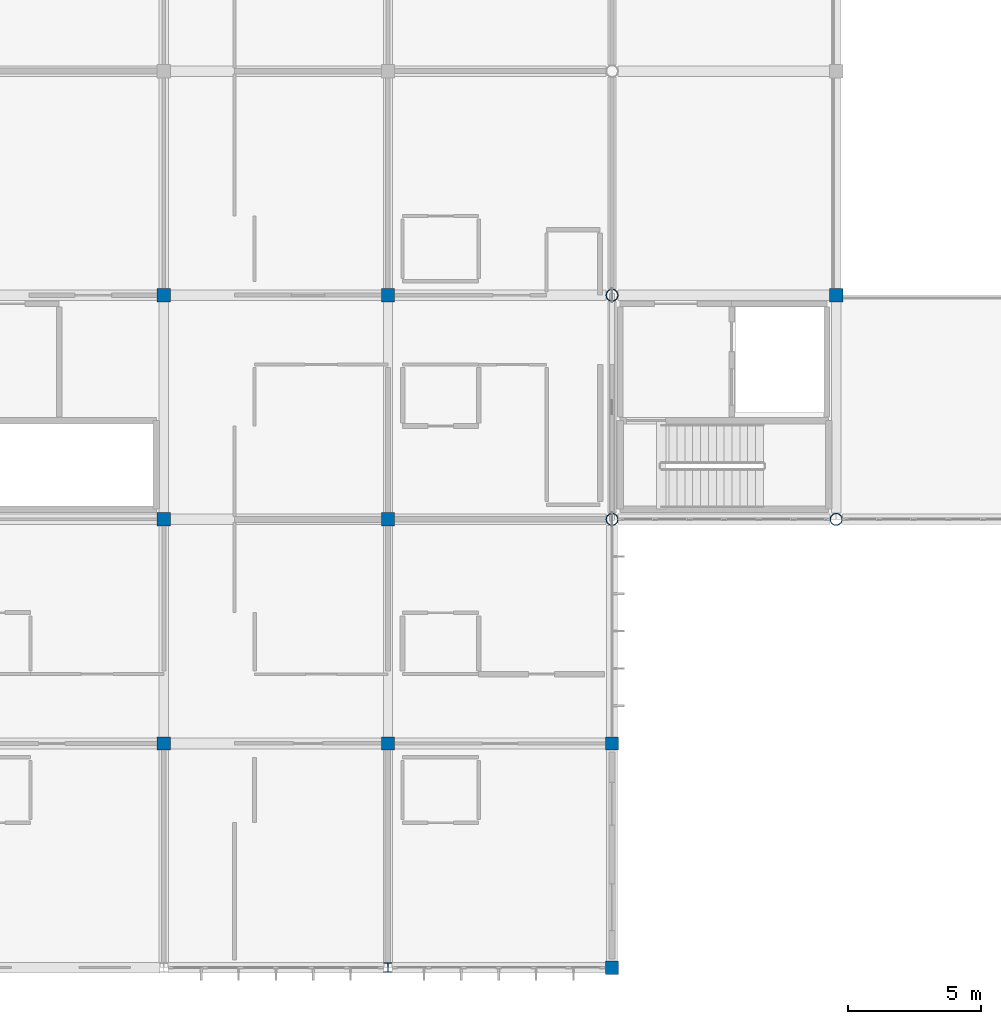
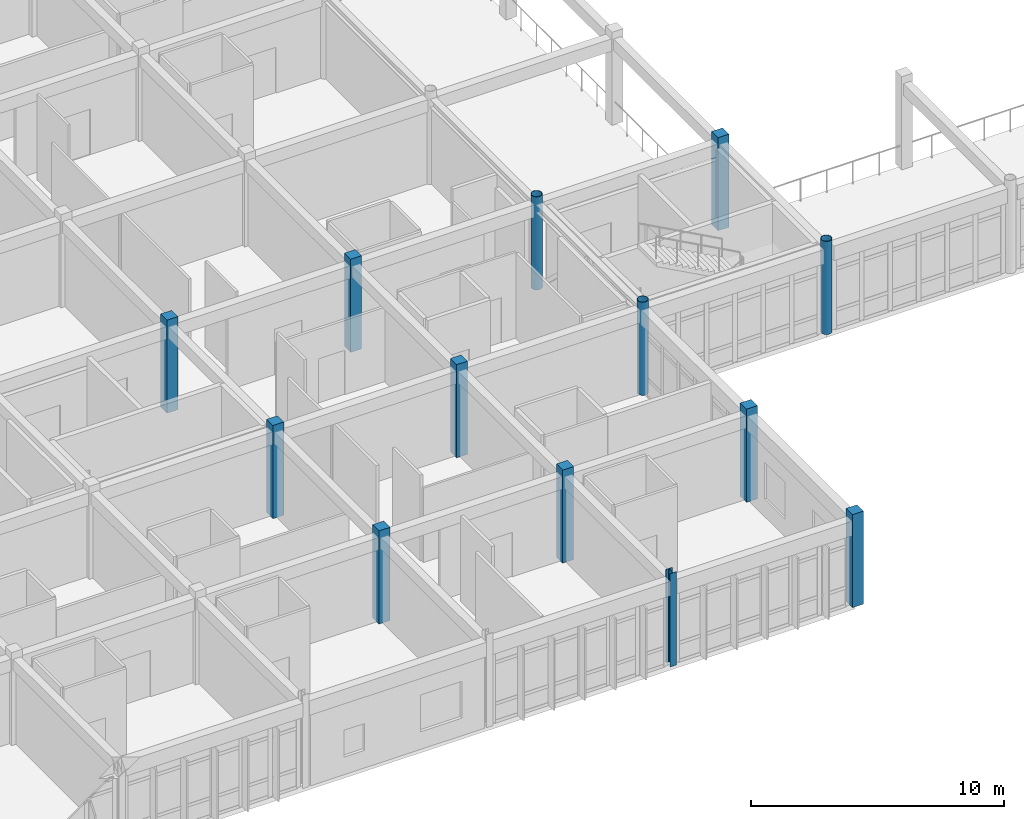
# One storey, part 2 of 144: 13 columns.
"""IFC4 building model written with IfcOpenShell, lengths in metres."""

from ifc_helpers import new_model, si_unit, direction, frame, origin, origin_2d, place, context, subcontext, project, spatial, rectangle, hollow_circle, i_section, extrude, material, material_profile, profile_set, type_object, element, save


model = new_model("IFC4")

# Units and contexts
model_context = context("Model", 3, precision=1e-05, world=origin(), true_north=direction((0.0, 1.0)))
body_context = subcontext(model_context, "Body", "Model", "MODEL_VIEW")
ifc_project = project(units=[si_unit("LENGTHUNIT", "METRE"), si_unit("AREAUNIT", "SQUARE_METRE"), si_unit("VOLUMEUNIT", "CUBIC_METRE"), si_unit("PLANEANGLEUNIT", "RADIAN"), si_unit("MASSUNIT", "GRAM", prefix="KILO")], contexts=[model_context])

# Site, building, storey
site_placement = place(None, origin())
site = spatial("IfcSite", under=ifc_project, at=site_placement, CompositionType="ELEMENT")
building_placement = place(site_placement, origin())
building = spatial("IfcBuilding", under=site, at=building_placement, Name="Bramfleet General Hospital", CompositionType="ELEMENT")
storey_placement = place(building_placement, frame((0.0, 0.0, 4.800048828125)))
storey = spatial("IfcBuildingStorey", under=building, at=storey_placement, Name="L01", CompositionType="ELEMENT", Elevation=4.800048828125)

# Columns
ifc_material_1 = material(Name="Steel S355", Category="steel")
ifc_material_profile_1 = material_profile(ifc_material_1, hollow_circle(Radius=0.228515625, WallThickness=0.02001953125, at=origin_2d()), Name="CHS 457.0x20.0")
ifc_profile_set_1 = profile_set([ifc_material_profile_1], Name="Steel S355")
column_type_1 = type_object("IfcColumnType", Name="COL-CHS457", PredefinedType="COLUMN", material=ifc_profile_set_1)
for number, where, z_axis, x_axis, name in (
    (1, (50.39990234375, 16.800048828125, 0.0), (0.0, 0.0, 1.0), (1.0, 0.0, 0.0), "Column COL-L01-06-02"),
    (2, (50.39990234375, 25.199951171875, 0.0), (0.0, 0.0, 1.0), (1.0, 0.0, 0.0), "Column COL-L01-06-03"),
    (3, (58.800048828125, 16.800048828125, 0.0), (0.0, 0.0, 1.0), (1.0, 0.0, 0.0), "Column COL-L01-07-02"),
):
    element("IfcColumn", number, at=place(storey_placement, frame(where, z_axis=z_axis, x_axis=x_axis)), inside=storey, type_object=column_type_1, Name=name, PredefinedType="COLUMN", context=body_context, shape_type="SweptSolid", body=[
        extrude(hollow_circle(Radius=0.228515625, WallThickness=0.02001953125, at=origin_2d()), origin(), (0.0, 0.0, 1.0), 4.5),
    ])
ifc_material_profile_2 = material_profile(ifc_material_1, i_section(OverallWidth=0.300048828125, OverallDepth=0.360107421875, WebThickness=0.012451171875, FlangeThickness=0.0224609375, FilletRadius=0.027099609375, at=origin_2d()), Name="HEB 360")
ifc_profile_set_2 = profile_set([ifc_material_profile_2], Name="Steel S355")
column_type_2 = type_object("IfcColumnType", Name="COL-HEB360", PredefinedType="COLUMN", material=ifc_profile_set_2)
column_placement = place(storey_placement, frame((42.0, 0.0, 0.0), z_axis=(0.0, 0.0, 1.0), x_axis=(1.0, 0.0, 0.0)))
element("IfcColumn", 4, at=column_placement, inside=storey, type_object=column_type_2, Name="Column COL-L01-05-00", PredefinedType="COLUMN", context=body_context, shape_type="SweptSolid", body=[
    extrude(i_section(OverallWidth=0.300048828125, OverallDepth=0.360107421875, WebThickness=0.012451171875, FlangeThickness=0.0224609375, FilletRadius=0.027099609375, at=origin_2d()), origin(), (0.0, 0.0, 1.0), 4.5),
])
ifc_material_2 = material(Name="Concrete C40/50", Category="concrete")
ifc_material_profile_3 = material_profile(ifc_material_2, rectangle(XDim=0.5, YDim=0.5, at=origin_2d()), Name="RC COL 500x500")
ifc_profile_set_3 = profile_set([ifc_material_profile_3], Name="Concrete C40/50")
column_type_3 = type_object("IfcColumnType", Name="COL-RC500", PredefinedType="COLUMN", material=ifc_profile_set_3)
for number, where, z_axis, x_axis, name in (
    (5, (33.60009765625, 8.39990234375, 0.0), (0.0, 0.0, 1.0), (1.0, 0.0, 0.0), "Column COL-L01-04-01"),
    (6, (33.60009765625, 16.800048828125, 0.0), (0.0, 0.0, 1.0), (1.0, 0.0, 0.0), "Column COL-L01-04-02"),
    (7, (33.60009765625, 25.199951171875, 0.0), (0.0, 0.0, 1.0), (1.0, 0.0, 0.0), "Column COL-L01-04-03"),
    (8, (42.0, 8.39990234375, 0.0), (0.0, 0.0, 1.0), (1.0, 0.0, 0.0), "Column COL-L01-05-01"),
    (9, (42.0, 16.800048828125, 0.0), (0.0, 0.0, 1.0), (1.0, 0.0, 0.0), "Column COL-L01-05-02"),
    (10, (42.0, 25.199951171875, 0.0), (0.0, 0.0, 1.0), (1.0, 0.0, 0.0), "Column COL-L01-05-03"),
    (11, (50.39990234375, 0.0, 0.0), (0.0, 0.0, 1.0), (1.0, 0.0, 0.0), "Column COL-L01-06-00"),
    (12, (50.39990234375, 8.39990234375, 0.0), (0.0, 0.0, 1.0), (1.0, 0.0, 0.0), "Column COL-L01-06-01"),
    (13, (58.800048828125, 25.199951171875, 0.0), (0.0, 0.0, 1.0), (1.0, 0.0, 0.0), "Column COL-L01-07-03"),
):
    element("IfcColumn", number, at=place(storey_placement, frame(where, z_axis=z_axis, x_axis=x_axis)), inside=storey, type_object=column_type_3, Name=name, PredefinedType="COLUMN", context=body_context, shape_type="SweptSolid", body=[
        extrude(rectangle(XDim=0.5, YDim=0.5, at=origin_2d()), origin(), (0.0, 0.0, 1.0), 4.5),
    ])

save(model, "model.ifc")
